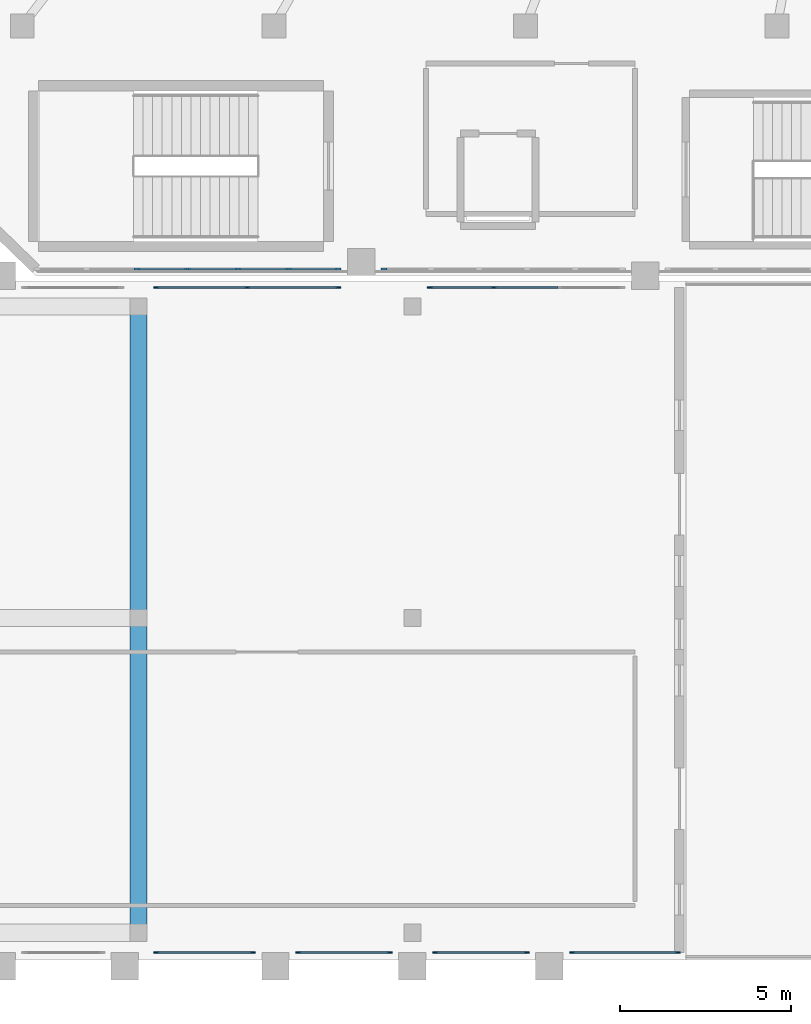
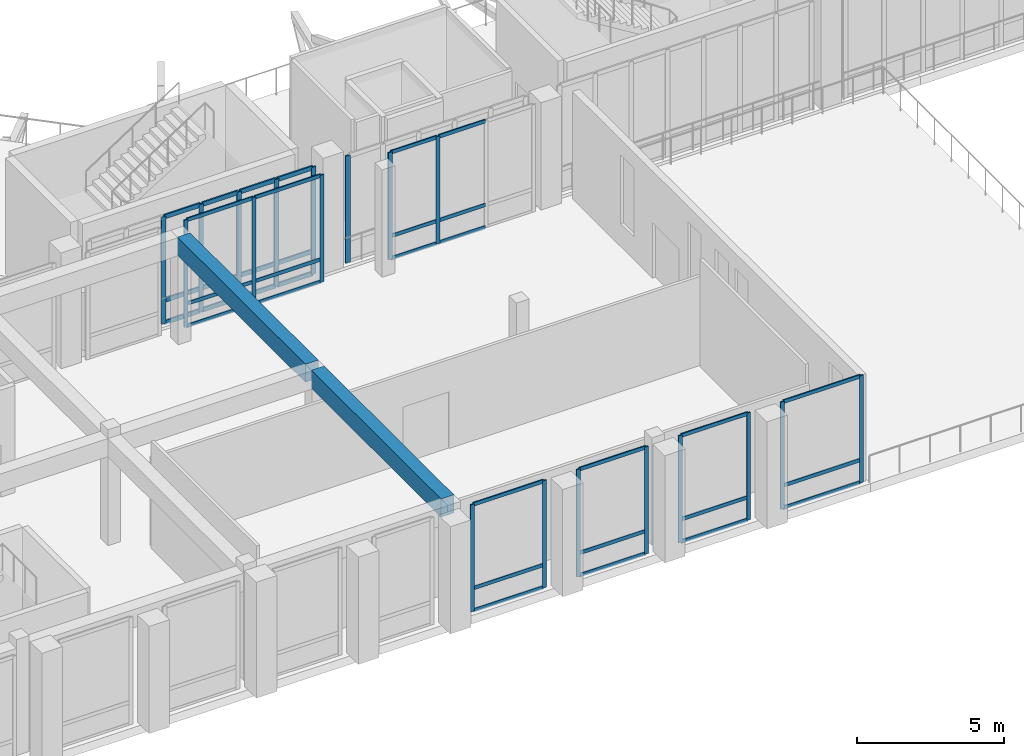
# One storey, part 7 of 79: 55 members, 2 beams, 8 elements without a shape of their own.
"""IFC4 building model written with IfcOpenShell, lengths in metres."""

import ifcopenshell
import ifcopenshell.guid

model = None  # the IFC model being written
_history = None  # IfcOwnerHistory: only IFC2X3 demands one
_inside = {}  # id of a spatial element -> (the spatial element, [elements in it])
_under = {}  # id of a project, library or spatial element -> (it, [spatial elements below it])
_declared = {}  # id of a project -> (the project, [libraries it declares])
_typed = {}  # id of a type object -> (the type object, [elements of that type])
_made_of = {}  # id of a material, layer set ... -> (it, [elements and type objects made of it])


def new_model(schema):
    """Start an empty IFC model of exactly this schema.

    Asked for "IFC4X3", IfcOpenShell would pick the latest addendum, in which some entities
    have other attributes; the version numbers below select the first issue.
    IFC2X3 requires an IfcOwnerHistory on every rooted entity: one is made here for all.
    """
    global model, _history
    if schema == "IFC4X3":
        model = ifcopenshell.file(schema_version=(4, 3, 0, 0))
    else:
        model = ifcopenshell.file(schema=schema)
    _inside.clear()
    _under.clear()
    _declared.clear()
    _typed.clear()
    _made_of.clear()
    _history = None
    if model.schema == "IFC2X3":
        org = make("IfcOrganization", Name="unknown")
        user = make(
            "IfcPersonAndOrganization",
            ThePerson=make("IfcPerson", FamilyName="unknown"),
            TheOrganization=org,
        )
        app = make(
            "IfcApplication",
            ApplicationDeveloper=org,
            Version="unknown",
            ApplicationFullName="unknown",
            ApplicationIdentifier="unknown",
        )
        _history = make(
            "IfcOwnerHistory",
            OwningUser=user,
            OwningApplication=app,
            ChangeAction="ADDED",
            CreationDate=0,
        )
    return model


def make(cls, **values):
    """One entity of the class cls with the attributes given. An attribute that is None is left unset."""
    return model.create_entity(
        cls, **{name: value for name, value in values.items() if value is not None}
    )


def rooted(cls, **values):
    """An entity with a GlobalId (a new one), such as an element, a storey or a relation."""
    return make(cls, GlobalId=ifcopenshell.guid.new(), OwnerHistory=_history, **values)


def si_unit(unit_type, name, prefix=None):
    """IfcSIUnit, for example si_unit("LENGTHUNIT", "METRE", prefix="MILLI")."""
    return make("IfcSIUnit", UnitType=unit_type, Prefix=prefix, Name=name)


def derived_unit(unit_type, elements):
    """IfcDerivedUnit: a product of units, each with its exponent."""
    return make(
        "IfcDerivedUnit",
        Elements=[
            make("IfcDerivedUnitElement", Unit=unit, Exponent=power)
            for unit, power in elements
        ],
        UnitType=unit_type,
    )


def assignment(units):
    """IfcUnitAssignment: the units of a project."""
    return None if units is None else make("IfcUnitAssignment", Units=units)


def point(xyz):
    """IfcCartesianPoint."""
    return None if xyz is None else make("IfcCartesianPoint", Coordinates=xyz)


def direction(xyz):
    """IfcDirection."""
    return None if xyz is None else make("IfcDirection", DirectionRatios=xyz)


def frame(location, z_axis=None, x_axis=None):
    """IfcAxis2Placement3D, a coordinate frame: its origin and axes. An axis left out is left unset."""
    return make(
        "IfcAxis2Placement3D",
        Location=point(location),
        Axis=direction(z_axis),
        RefDirection=direction(x_axis),
    )


def frame_2d(location, x_axis=None):
    """IfcAxis2Placement2D, a coordinate frame in the plane: its origin and x axis."""
    return make(
        "IfcAxis2Placement2D", Location=point(location), RefDirection=direction(x_axis)
    )


def origin():
    """The frame at (0, 0, 0) with its axes left unset."""
    return frame((0.0, 0.0, 0.0))


def origin_2d():
    """The frame at (0, 0) in the plane with its x axis left unset."""
    return frame_2d((0.0, 0.0))


def place(relative_to, where):
    """IfcLocalPlacement: puts the frame where relative to a parent placement (None: the world)."""
    return make(
        "IfcLocalPlacement", PlacementRelTo=relative_to, RelativePlacement=where
    )


def context(
    kind, dimensions, precision=None, world=None, true_north=None, identifier=None
):
    """IfcGeometricRepresentationContext, for example the 3D "Model" context."""
    return make(
        "IfcGeometricRepresentationContext",
        ContextIdentifier=identifier,
        ContextType=kind,
        CoordinateSpaceDimension=dimensions,
        Precision=precision,
        WorldCoordinateSystem=world,
        TrueNorth=true_north,
    )


def subcontext(parent, identifier, kind, view, scale=None):
    """IfcGeometricRepresentationSubContext, for example "Body" below "Model"."""
    return make(
        "IfcGeometricRepresentationSubContext",
        ContextIdentifier=identifier,
        ContextType=kind,
        ParentContext=parent,
        TargetScale=scale,
        TargetView=view,
    )


def project(units=None, contexts=None):
    """IfcProject with its units and contexts."""
    return rooted(
        "IfcProject",
        Name="project",
        RepresentationContexts=contexts,
        UnitsInContext=assignment(units),
    )


def spatial(cls, under=None, at=None, **own):
    """A site, building, storey or space (cls), placed at a placement, below another one or the project."""
    s = rooted(cls, ObjectPlacement=at, **own)
    if under is not None:
        _under.setdefault(under.id(), (under, []))[1].append(s)
    return s


def profile(cls, at=None, kind="AREA", **sizes):
    """A parametric profile (cls). Its sizes go by their IFC names, for example OverallWidth=200.0."""
    return make(cls, ProfileType=kind, Position=at, **sizes)


def rectangle(**sizes):
    """IfcRectangleProfileDef."""
    return profile("IfcRectangleProfileDef", **sizes)


def extrude(swept, where, along, depth):
    """IfcExtrudedAreaSolid: the profile swept, set in the frame where, extruded along a direction by depth."""
    return make(
        "IfcExtrudedAreaSolid",
        SweptArea=swept,
        Position=where,
        ExtrudedDirection=direction(along),
        Depth=depth,
    )


def shape(context_of_items, identifier, shape_type, items):
    """IfcShapeRepresentation: the items that make up one representation, for example the "Body"."""
    return make(
        "IfcShapeRepresentation",
        ContextOfItems=context_of_items,
        RepresentationIdentifier=identifier,
        RepresentationType=shape_type,
        Items=items,
    )


def material(Name=None, Category=None):
    """IfcMaterial."""
    return make("IfcMaterial", Name=Name, Category=Category)


def layer(
    of_material, thickness, ventilated=None, Name=None, Category=None, Priority=None
):
    """IfcMaterialLayer: one layer of a wall or slab, of a material (None: an air gap)."""
    return make(
        "IfcMaterialLayer",
        Material=of_material,
        LayerThickness=thickness,
        IsVentilated=ventilated,
        Name=Name,
        Category=Category,
        Priority=Priority,
    )


def layer_set(layers, Name=None):
    """IfcMaterialLayerSet."""
    return make("IfcMaterialLayerSet", MaterialLayers=layers, LayerSetName=Name)


def material_profile(
    of_material, cross_section, Name=None, Category=None, Priority=None
):
    """IfcMaterialProfile: a cross section and its material."""
    return make(
        "IfcMaterialProfile",
        Name=Name,
        Material=of_material,
        Profile=cross_section,
        Priority=Priority,
        Category=Category,
    )


def profile_set(profiles, Name=None, composite=None):
    """IfcMaterialProfileSet."""
    return make(
        "IfcMaterialProfileSet",
        Name=Name,
        MaterialProfiles=profiles,
        CompositeProfile=composite,
    )


def made_of(thing, what):
    """Note that an element or type object is made of a material, layer set ...; save() writes the relation."""
    if what is not None:
        _made_of.setdefault(what.id(), (what, []))[1].append(thing)
    return thing


def type_object(cls, material=None, **own):
    """A type object (cls), such as IfcWallType, which elements share."""
    return made_of(rooted(cls, **own), material)


def element(
    cls,
    number,
    at=None,
    inside=None,
    cuts=None,
    type_object=None,
    material=None,
    context=None,
    identifier="Body",
    shape_type=None,
    held_by="IfcProductDefinitionShape",
    body=None,
    shapes=None,
    **own,
):
    """One element of the class cls, such as IfcWall. Its Tag is "e" and its number.

    at: its placement. inside: the storey or other place that contains it. cuts: it is an
    opening in that element (IfcRelVoidsElement). A single representation is given by context,
    identifier, shape_type and body (its items); several are given by shapes. held_by: the class
    of the entity that holds the representations. save() writes the other relations.
    """
    e = rooted(cls, Tag="e%d" % number, ObjectPlacement=at, **own)
    if body is not None:
        shapes = [shape(context, identifier, shape_type, body)]
    if shapes is not None:
        e.Representation = make(held_by, Representations=shapes)
    if inside is not None:
        _inside.setdefault(inside.id(), (inside, []))[1].append(e)
    if cuts is not None:
        rooted(
            "IfcRelVoidsElement", RelatingBuildingElement=cuts, RelatedOpeningElement=e
        )
    if type_object is not None:
        _typed.setdefault(type_object.id(), (type_object, []))[1].append(e)
    return made_of(e, material)


def aggregate(whole, parts):
    """IfcRelAggregates: a whole, such as a stair, and the parts it consists of."""
    return rooted("IfcRelAggregates", RelatingObject=whole, RelatedObjects=parts)


def save(model, path):
    """Write the relations noted so far, then the file.

    IfcRelAggregates (storeys below a building ...), IfcRelContainedInSpatialStructure (elements
    in a storey), IfcRelDefinesByType, IfcRelAssociatesMaterial and IfcRelDeclares: one each for
    every whole, place, type object, material and project.
    """
    for whole, parts in _under.values():
        aggregate(whole, parts)
    for where, things in _inside.values():
        rooted(
            "IfcRelContainedInSpatialStructure",
            RelatedElements=things,
            RelatingStructure=where,
        )
    for kind, things in _typed.values():
        rooted("IfcRelDefinesByType", RelatedObjects=things, RelatingType=kind)
    for what, things in _made_of.values():
        rooted("IfcRelAssociatesMaterial", RelatedObjects=things, RelatingMaterial=what)
    for by, libraries in _declared.values():
        rooted("IfcRelDeclares", RelatingContext=by, RelatedDefinitions=libraries)
    model.write(path)


model = new_model("IFC4")

# Units and contexts
model_context = context("Model", 3, precision=1e-05, world=origin(), true_north=direction((0.0, 1.0)))
body_context = subcontext(model_context, "Body", "Model", "MODEL_VIEW")
ifc_project = project(units=[si_unit("LENGTHUNIT", "METRE"), si_unit("AREAUNIT", "SQUARE_METRE"), si_unit("VOLUMEUNIT", "CUBIC_METRE"), si_unit("PLANEANGLEUNIT", "RADIAN"), si_unit("MASSUNIT", "GRAM", prefix="KILO"), derived_unit("THERMALTRANSMITTANCEUNIT", [(si_unit("MASSUNIT", "GRAM", prefix="KILO"), 1), (si_unit("TIMEUNIT", "SECOND"), -3), (si_unit("THERMODYNAMICTEMPERATUREUNIT", "KELVIN"), -1)])], contexts=[model_context])

# Site, building, storey
site_placement = place(None, origin())
site = spatial("IfcSite", under=ifc_project, at=site_placement, CompositionType="ELEMENT")
building_placement = place(site_placement, origin())
building = spatial("IfcBuilding", under=site, at=building_placement, Name="Valcora Ridge Arena", CompositionType="ELEMENT")
storey_placement = place(building_placement, frame((0.0, 0.0, 16.199951171875)))
storey = spatial("IfcBuildingStorey", under=building, at=storey_placement, Name="L03", CompositionType="ELEMENT", Elevation=16.199951171875)

# Beams
ifc_material_1 = material(Name="Concrete C40/50", Category="concrete")
ifc_material_profile_1 = material_profile(ifc_material_1, rectangle(XDim=0.5, YDim=0.75, at=origin_2d()), Name="RC 500x750")
ifc_profile_set_1 = profile_set([ifc_material_profile_1], Name="Concrete C40/50")
beam_type = type_object("IfcBeamType", Name="TY-BEAM-B-RC500-Y", PredefinedType="BEAM", material=ifc_profile_set_1)
beam_1_placement = place(storey_placement, frame((32.0, 1.0, 4.06494140625), z_axis=(0.0, 1.0, 0.0), x_axis=(-1.0, 0.0, 0.0)))
element("IfcBeam", 1, at=beam_1_placement, inside=storey, type_object=beam_type, Name="B-RC500-Y BEM-B-RC500-Y-0105", PredefinedType="BEAM", context=body_context, shape_type="SweptSolid", body=[
    extrude(rectangle(XDim=0.5, YDim=0.75, at=origin_2d()), origin(), (0.0, 0.0, 1.0), 8.800048828125),
])
beam_2_placement = place(storey_placement, frame((32.0, 10.199951171875, 4.06494140625), z_axis=(0.0, 1.0, 0.0), x_axis=(-1.0, 0.0, 0.0)))
element("IfcBeam", 2, at=beam_2_placement, inside=storey, type_object=beam_type, Name="B-RC500-Y BEM-B-RC500-Y-0106", PredefinedType="BEAM", context=body_context, shape_type="SweptSolid", body=[
    extrude(rectangle(XDim=0.5, YDim=0.75, at=origin_2d()), origin(), (0.0, 0.0, 1.0), 8.699951171875),
])

# Curtain wall, members
ifc_material_2 = material(Name="Anodised dark bronze architectural aluminium 6063-T6", Category="aluminium")
ifc_layer_1 = layer(ifc_material_2, 0.14990234375, Name="Anodised dark bronze architectural aluminium 6063-T6")
ifc_layer_set_1 = layer_set([ifc_layer_1], Name="Anodised dark bronze architectural aluminium 6063-T6")
curtain_wall_type_1 = type_object("IfcCurtainWallType", Name="TY-CURTAINWALL-CW-V4-CLUB-029X44", PredefinedType="NOTDEFINED", material=ifc_layer_set_1)
curtain_wall_1_placement = place(storey_placement, origin())
curtain_wall_1 = element("IfcCurtainWall", 3, at=curtain_wall_1_placement, inside=storey, type_object=curtain_wall_type_1, Name="CW-V4-CLUB-029X44 CW-0275", PredefinedType="NOTDEFINED")
ifc_material_profile_2 = material_profile(ifc_material_2, rectangle(XDim=0.050048828125, YDim=0.14990234375, at=origin_2d()), Name="ALU MULLION 50x150")
ifc_profile_set_2 = profile_set([ifc_material_profile_2], Name="Anodised dark bronze architectural aluminium 6063-T6")
member_type_1 = type_object("IfcMemberType", Name="TY-MEM-CWM-50x150", PredefinedType="MULLION", material=ifc_profile_set_2)
member_1_placement = place(storey_placement, frame((32.514892578125, 0.219970703125, 0.0), z_axis=(0.0, 0.0, 1.0), x_axis=(0.0, 1.0, 0.0)))
member_1 = element("IfcMember", 4, at=member_1_placement, type_object=member_type_1, Name="CW-0275/CWM-50x150/M00", PredefinedType="MULLION", context=body_context, shape_type="SweptSolid", body=[
    extrude(rectangle(XDim=0.050048828125, YDim=0.14990234375, at=origin_2d()), origin(), (0.0, 0.0, 1.0), 4.43994140625),
])
member_2_placement = place(storey_placement, frame((35.3349609375, 0.219970703125, 0.0), z_axis=(0.0, 0.0, 1.0), x_axis=(0.0, 1.0, 0.0)))
member_2 = element("IfcMember", 5, at=member_2_placement, type_object=member_type_1, Name="CW-0275/CWM-50x150/M01", PredefinedType="MULLION", context=body_context, shape_type="SweptSolid", body=[
    extrude(rectangle(XDim=0.050048828125, YDim=0.14990234375, at=origin_2d()), origin(), (0.0, 0.0, 1.0), 4.43994140625),
])

ifc_layer_2 = layer(ifc_material_2, 0.14990234375, Name="Anodised dark bronze architectural aluminium 6063-T6")
ifc_layer_set_2 = layer_set([ifc_layer_2], Name="Anodised dark bronze architectural aluminium 6063-T6")
curtain_wall_type_2 = type_object("IfcCurtainWallType", Name="TY-CURTAINWALL-CW-V4-CLUB-027X44", PredefinedType="NOTDEFINED", material=ifc_layer_set_2)
curtain_wall_2_placement = place(storey_placement, origin())
curtain_wall_2 = element("IfcCurtainWall", 6, at=curtain_wall_2_placement, inside=storey, type_object=curtain_wall_type_2, Name="CW-V4-CLUB-027X44 CW-0276", PredefinedType="NOTDEFINED")
member_3_placement = place(storey_placement, frame((36.6650390625, 0.219970703125, 0.0), z_axis=(0.0, 0.0, 1.0), x_axis=(0.0, 1.0, 0.0)))
member_3 = element("IfcMember", 7, at=member_3_placement, type_object=member_type_1, Name="CW-0276/CWM-50x150/M00", PredefinedType="MULLION", context=body_context, shape_type="SweptSolid", body=[
    extrude(rectangle(XDim=0.050048828125, YDim=0.14990234375, at=origin_2d()), origin(), (0.0, 0.0, 1.0), 4.43994140625),
])
member_4_placement = place(storey_placement, frame((39.3349609375, 0.219970703125, 0.0), z_axis=(0.0, 0.0, 1.0), x_axis=(0.0, 1.0, 0.0)))
member_4 = element("IfcMember", 8, at=member_4_placement, type_object=member_type_1, Name="CW-0276/CWM-50x150/M01", PredefinedType="MULLION", context=body_context, shape_type="SweptSolid", body=[
    extrude(rectangle(XDim=0.050048828125, YDim=0.14990234375, at=origin_2d()), origin(), (0.0, 0.0, 1.0), 4.43994140625),
])

curtain_wall_3_placement = place(storey_placement, origin())
curtain_wall_3 = element("IfcCurtainWall", 9, at=curtain_wall_3_placement, inside=storey, type_object=curtain_wall_type_2, Name="CW-V4-CLUB-027X44 CW-0277", PredefinedType="NOTDEFINED")
member_5_placement = place(storey_placement, frame((40.6650390625, 0.219970703125, 0.0), z_axis=(0.0, 0.0, 1.0), x_axis=(0.0, 1.0, 0.0)))
member_5 = element("IfcMember", 10, at=member_5_placement, type_object=member_type_1, Name="CW-0277/CWM-50x150/M00", PredefinedType="MULLION", context=body_context, shape_type="SweptSolid", body=[
    extrude(rectangle(XDim=0.050048828125, YDim=0.14990234375, at=origin_2d()), origin(), (0.0, 0.0, 1.0), 4.43994140625),
])
member_6_placement = place(storey_placement, frame((43.3349609375, 0.219970703125, 0.0), z_axis=(0.0, 0.0, 1.0), x_axis=(0.0, 1.0, 0.0)))
member_6 = element("IfcMember", 11, at=member_6_placement, type_object=member_type_1, Name="CW-0277/CWM-50x150/M01", PredefinedType="MULLION", context=body_context, shape_type="SweptSolid", body=[
    extrude(rectangle(XDim=0.050048828125, YDim=0.14990234375, at=origin_2d()), origin(), (0.0, 0.0, 1.0), 4.43994140625),
])

ifc_layer_3 = layer(ifc_material_2, 0.14990234375, Name="Anodised dark bronze architectural aluminium 6063-T6")
ifc_layer_set_3 = layer_set([ifc_layer_3], Name="Anodised dark bronze architectural aluminium 6063-T6")
curtain_wall_type_3 = type_object("IfcCurtainWallType", Name="TY-CURTAINWALL-CW-V4-CLUB-031X44", PredefinedType="NOTDEFINED", material=ifc_layer_set_3)
curtain_wall_4_placement = place(storey_placement, origin())
curtain_wall_4 = element("IfcCurtainWall", 12, at=curtain_wall_4_placement, inside=storey, type_object=curtain_wall_type_3, Name="CW-V4-CLUB-031X44 CW-0278", PredefinedType="NOTDEFINED")
member_7_placement = place(storey_placement, frame((44.6650390625, 0.219970703125, 0.0), z_axis=(0.0, 0.0, 1.0), x_axis=(0.0, 1.0, 0.0)))
member_7 = element("IfcMember", 13, at=member_7_placement, type_object=member_type_1, Name="CW-0278/CWM-50x150/M00", PredefinedType="MULLION", context=body_context, shape_type="SweptSolid", body=[
    extrude(rectangle(XDim=0.050048828125, YDim=0.14990234375, at=origin_2d()), origin(), (0.0, 0.0, 1.0), 4.43994140625),
])
member_8_placement = place(storey_placement, frame((47.7548828125, 0.219970703125, 0.0), z_axis=(0.0, 0.0, 1.0), x_axis=(0.0, 1.0, 0.0)))
member_8 = element("IfcMember", 14, at=member_8_placement, type_object=member_type_1, Name="CW-0278/CWM-50x150/M01", PredefinedType="MULLION", context=body_context, shape_type="SweptSolid", body=[
    extrude(rectangle(XDim=0.050048828125, YDim=0.14990234375, at=origin_2d()), origin(), (0.0, 0.0, 1.0), 4.43994140625),
])

ifc_layer_4 = layer(ifc_material_2, 0.14990234375, Name="Anodised dark bronze architectural aluminium 6063-T6")
ifc_layer_set_4 = layer_set([ifc_layer_4], Name="Anodised dark bronze architectural aluminium 6063-T6")
curtain_wall_type_4 = type_object("IfcCurtainWallType", Name="TY-CURTAINWALL-CW-V4-CLUB-054X44", PredefinedType="NOTDEFINED", material=ifc_layer_set_4)
curtain_wall_5_placement = place(storey_placement, origin())
curtain_wall_5 = element("IfcCurtainWall", 15, at=curtain_wall_5_placement, inside=storey, type_object=curtain_wall_type_4, Name="CW-V4-CLUB-054X44 CW-0283", PredefinedType="NOTDEFINED")
member_9_placement = place(storey_placement, frame((32.514892578125, 19.64990234375, 0.0), z_axis=(0.0, 0.0, 1.0), x_axis=(0.0, 1.0, 0.0)))
member_9 = element("IfcMember", 16, at=member_9_placement, type_object=member_type_1, Name="CW-0283/CWM-50x150/M00", PredefinedType="MULLION", context=body_context, shape_type="SweptSolid", body=[
    extrude(rectangle(XDim=0.050048828125, YDim=0.14990234375, at=origin_2d()), origin(), (0.0, 0.0, 1.0), 4.43994140625),
])
member_10_placement = place(storey_placement, frame((35.175048828125, 19.64990234375, 0.0), z_axis=(0.0, 0.0, 1.0), x_axis=(0.0, 1.0, 0.0)))
member_10 = element("IfcMember", 17, at=member_10_placement, type_object=member_type_1, Name="CW-0283/CWM-50x150/M01", PredefinedType="MULLION", context=body_context, shape_type="SweptSolid", body=[
    extrude(rectangle(XDim=0.050048828125, YDim=0.14990234375, at=origin_2d()), origin(), (0.0, 0.0, 1.0), 4.43994140625),
])
member_11_placement = place(storey_placement, frame((37.8349609375, 19.64990234375, 0.0), z_axis=(0.0, 0.0, 1.0), x_axis=(0.0, 1.0, 0.0)))
member_11 = element("IfcMember", 18, at=member_11_placement, type_object=member_type_1, Name="CW-0283/CWM-50x150/M02", PredefinedType="MULLION", context=body_context, shape_type="SweptSolid", body=[
    extrude(rectangle(XDim=0.050048828125, YDim=0.14990234375, at=origin_2d()), origin(), (0.0, 0.0, 1.0), 4.43994140625),
])

ifc_layer_5 = layer(ifc_material_2, 0.14990234375, Name="Anodised dark bronze architectural aluminium 6063-T6")
ifc_layer_set_5 = layer_set([ifc_layer_5], Name="Anodised dark bronze architectural aluminium 6063-T6")
curtain_wall_type_5 = type_object("IfcCurtainWallType", Name="TY-CURTAINWALL-CW-V4-CLUB-057X44", PredefinedType="NOTDEFINED", material=ifc_layer_set_5)
curtain_wall_6_placement = place(storey_placement, origin())
curtain_wall_6 = element("IfcCurtainWall", 19, at=curtain_wall_6_placement, inside=storey, type_object=curtain_wall_type_5, Name="CW-V4-CLUB-057X44 CW-0284", PredefinedType="NOTDEFINED")
member_12_placement = place(storey_placement, frame((40.514892578125, 19.64990234375, 0.0), z_axis=(0.0, 0.0, 1.0), x_axis=(0.0, 1.0, 0.0)))
member_12 = element("IfcMember", 20, at=member_12_placement, type_object=member_type_1, Name="CW-0284/CWM-50x150/M00", PredefinedType="MULLION", context=body_context, shape_type="SweptSolid", body=[
    extrude(rectangle(XDim=0.050048828125, YDim=0.14990234375, at=origin_2d()), origin(), (0.0, 0.0, 1.0), 4.43994140625),
])
member_13_placement = place(storey_placement, frame((42.3798828125, 19.64990234375, 0.0), z_axis=(0.0, 0.0, 1.0), x_axis=(0.0, 1.0, 0.0)))
member_13 = element("IfcMember", 21, at=member_13_placement, type_object=member_type_1, Name="CW-0284/CWM-50x150/M01", PredefinedType="MULLION", context=body_context, shape_type="SweptSolid", body=[
    extrude(rectangle(XDim=0.050048828125, YDim=0.14990234375, at=origin_2d()), origin(), (0.0, 0.0, 1.0), 4.43994140625),
])

ifc_layer_6 = layer(ifc_material_2, 0.179931640625, Name="Anodised dark bronze architectural aluminium 6063-T6")
ifc_layer_set_6 = layer_set([ifc_layer_6], Name="Anodised dark bronze architectural aluminium 6063-T6")
curtain_wall_type_6 = type_object("IfcCurtainWallType", Name="TY-CURTAINWALL-CW-V1-GOTH-089X44", PredefinedType="NOTDEFINED", material=ifc_layer_set_6)
curtain_wall_7_placement = place(storey_placement, origin())
curtain_wall_7 = element("IfcCurtainWall", 22, at=curtain_wall_7_placement, inside=storey, type_object=curtain_wall_type_6, Name="CW-V1-GOTH-089X44 CW-0136", PredefinedType="NOTDEFINED")
ifc_material_profile_3 = material_profile(ifc_material_2, rectangle(XDim=0.06005859375, YDim=0.179931640625, at=origin_2d()), Name="ALU MULLION 60x180")
ifc_profile_set_3 = profile_set([ifc_material_profile_3], Name="Anodised dark bronze architectural aluminium 6063-T6")
member_type_2 = type_object("IfcMemberType", Name="TY-MEM-CWM-60x180", PredefinedType="MULLION", material=ifc_profile_set_3)
member_14_placement = place(storey_placement, frame((31.953369140625, 20.199951171875, 0.0), z_axis=(0.0, 0.0, 1.0), x_axis=(0.0, 1.0, 0.0)))
member_14 = element("IfcMember", 23, at=member_14_placement, type_object=member_type_2, Name="CW-0136/CWM-60x180/M02", PredefinedType="MULLION", context=body_context, shape_type="SweptSolid", body=[
    extrude(rectangle(XDim=0.06005859375, YDim=0.179931640625, at=origin_2d()), origin(), (0.0, 0.0, 1.0), 4.43994140625),
])
member_15_placement = place(storey_placement, frame((33.429931640625, 20.199951171875, 0.0), z_axis=(0.0, 0.0, 1.0), x_axis=(0.0, 1.0, 0.0)))
member_15 = element("IfcMember", 24, at=member_15_placement, type_object=member_type_2, Name="CW-0136/CWM-60x180/M03", PredefinedType="MULLION", context=body_context, shape_type="SweptSolid", body=[
    extrude(rectangle(XDim=0.06005859375, YDim=0.179931640625, at=origin_2d()), origin(), (0.0, 0.0, 1.0), 4.43994140625),
])
member_16_placement = place(storey_placement, frame((34.90673828125, 20.199951171875, 0.0), z_axis=(0.0, 0.0, 1.0), x_axis=(0.0, 1.0, 0.0)))
member_16 = element("IfcMember", 25, at=member_16_placement, type_object=member_type_2, Name="CW-0136/CWM-60x180/M04", PredefinedType="MULLION", context=body_context, shape_type="SweptSolid", body=[
    extrude(rectangle(XDim=0.06005859375, YDim=0.179931640625, at=origin_2d()), origin(), (0.0, 0.0, 1.0), 4.43994140625),
])
member_17_placement = place(storey_placement, frame((36.38330078125, 20.199951171875, 0.0), z_axis=(0.0, 0.0, 1.0), x_axis=(0.0, 1.0, 0.0)))
member_17 = element("IfcMember", 26, at=member_17_placement, type_object=member_type_2, Name="CW-0136/CWM-60x180/M05", PredefinedType="MULLION", context=body_context, shape_type="SweptSolid", body=[
    extrude(rectangle(XDim=0.06005859375, YDim=0.179931640625, at=origin_2d()), origin(), (0.0, 0.0, 1.0), 4.43994140625),
])
member_18_placement = place(storey_placement, frame((37.830078125, 20.199951171875, 0.0), z_axis=(0.0, 0.0, 1.0), x_axis=(0.0, 1.0, 0.0)))
member_18 = element("IfcMember", 27, at=member_18_placement, type_object=member_type_2, Name="CW-0136/CWM-60x180/M06", PredefinedType="MULLION", context=body_context, shape_type="SweptSolid", body=[
    extrude(rectangle(XDim=0.06005859375, YDim=0.179931640625, at=origin_2d()), origin(), (0.0, 0.0, 1.0), 4.43994140625),
])

# Curtain wall, member
ifc_layer_7 = layer(ifc_material_2, 0.179931640625, Name="Anodised dark bronze architectural aluminium 6063-T6")
ifc_layer_set_7 = layer_set([ifc_layer_7], Name="Anodised dark bronze architectural aluminium 6063-T6")
curtain_wall_type_7 = type_object("IfcCurtainWallType", Name="TY-CURTAINWALL-CW-V1-GOTH-070X44", PredefinedType="NOTDEFINED", material=ifc_layer_set_7)
curtain_wall_8_placement = place(storey_placement, origin())
curtain_wall_8 = element("IfcCurtainWall", 28, at=curtain_wall_8_placement, inside=storey, type_object=curtain_wall_type_7, Name="CW-V1-GOTH-070X44 CW-0137", PredefinedType="NOTDEFINED")
member_19_placement = place(storey_placement, frame((39.169921875, 20.199951171875, 0.0), z_axis=(0.0, 0.0, 1.0), x_axis=(0.0, 1.0, 0.0)))
member_19 = element("IfcMember", 29, at=member_19_placement, type_object=member_type_2, Name="CW-0137/CWM-60x180/M00", PredefinedType="MULLION", context=body_context, shape_type="SweptSolid", body=[
    extrude(rectangle(XDim=0.06005859375, YDim=0.179931640625, at=origin_2d()), origin(), (0.0, 0.0, 1.0), 4.43994140625),
])
aggregate(curtain_wall_8, [member_19])

# Member
ifc_material_profile_4 = material_profile(ifc_material_2, rectangle(XDim=0.050048828125, YDim=0.14990234375, at=origin_2d()), Name="ALU TRANSOM 50x150")
ifc_profile_set_4 = profile_set([ifc_material_profile_4], Name="Anodised dark bronze architectural aluminium 6063-T6")
member_type_3 = type_object("IfcMemberType", Name="TY-MEM-CWT-50x150", PredefinedType="USERDEFINED", material=ifc_profile_set_4)
member_20_placement = place(storey_placement, frame((32.5400390625, 0.219970703125, 0.025146484375), z_axis=(1.0, 0.0, 0.0), x_axis=(0.0, 1.0, 0.0)))
member_20 = element("IfcMember", 30, at=member_20_placement, type_object=member_type_3, Name="CW-0275/CWT-50x150/T00-00", ObjectType="TRANSOM", PredefinedType="USERDEFINED", context=body_context, shape_type="SweptSolid", body=[
    extrude(rectangle(XDim=0.050048828125, YDim=0.14990234375, at=origin_2d()), origin(), (0.0, 0.0, 1.0), 2.77001953125),
])

member_21_placement = place(storey_placement, frame((32.5400390625, 0.219970703125, 0.949951171875), z_axis=(1.0, 0.0, 0.0), x_axis=(0.0, 1.0, 0.0)))
member_21 = element("IfcMember", 31, at=member_21_placement, type_object=member_type_3, Name="CW-0275/CWT-50x150/T00-01", ObjectType="TRANSOM", PredefinedType="USERDEFINED", context=body_context, shape_type="SweptSolid", body=[
    extrude(rectangle(XDim=0.050048828125, YDim=0.14990234375, at=origin_2d()), origin(), (0.0, 0.0, 1.0), 2.77001953125),
])

member_22_placement = place(storey_placement, frame((32.5400390625, 0.219970703125, 4.4150390625), z_axis=(1.0, 0.0, 0.0), x_axis=(0.0, 1.0, 0.0)))
member_22 = element("IfcMember", 32, at=member_22_placement, type_object=member_type_3, Name="CW-0275/CWT-50x150/T00-02", ObjectType="TRANSOM", PredefinedType="USERDEFINED", context=body_context, shape_type="SweptSolid", body=[
    extrude(rectangle(XDim=0.050048828125, YDim=0.14990234375, at=origin_2d()), origin(), (0.0, 0.0, 1.0), 2.77001953125),
])

aggregate(curtain_wall_1, [member_1, member_2, member_20, member_21, member_22])

member_23_placement = place(storey_placement, frame((36.68994140625, 0.219970703125, 0.025146484375), z_axis=(1.0, 0.0, 0.0), x_axis=(0.0, 1.0, 0.0)))
member_23 = element("IfcMember", 33, at=member_23_placement, type_object=member_type_3, Name="CW-0276/CWT-50x150/T00-00", ObjectType="TRANSOM", PredefinedType="USERDEFINED", context=body_context, shape_type="SweptSolid", body=[
    extrude(rectangle(XDim=0.050048828125, YDim=0.14990234375, at=origin_2d()), origin(), (0.0, 0.0, 1.0), 2.6201171875),
])

member_24_placement = place(storey_placement, frame((36.68994140625, 0.219970703125, 0.949951171875), z_axis=(1.0, 0.0, 0.0), x_axis=(0.0, 1.0, 0.0)))
member_24 = element("IfcMember", 34, at=member_24_placement, type_object=member_type_3, Name="CW-0276/CWT-50x150/T00-01", ObjectType="TRANSOM", PredefinedType="USERDEFINED", context=body_context, shape_type="SweptSolid", body=[
    extrude(rectangle(XDim=0.050048828125, YDim=0.14990234375, at=origin_2d()), origin(), (0.0, 0.0, 1.0), 2.6201171875),
])

member_25_placement = place(storey_placement, frame((36.68994140625, 0.219970703125, 4.4150390625), z_axis=(1.0, 0.0, 0.0), x_axis=(0.0, 1.0, 0.0)))
member_25 = element("IfcMember", 35, at=member_25_placement, type_object=member_type_3, Name="CW-0276/CWT-50x150/T00-02", ObjectType="TRANSOM", PredefinedType="USERDEFINED", context=body_context, shape_type="SweptSolid", body=[
    extrude(rectangle(XDim=0.050048828125, YDim=0.14990234375, at=origin_2d()), origin(), (0.0, 0.0, 1.0), 2.6201171875),
])

aggregate(curtain_wall_2, [member_3, member_4, member_23, member_24, member_25])

member_26_placement = place(storey_placement, frame((40.68994140625, 0.219970703125, 0.025146484375), z_axis=(1.0, 0.0, 0.0), x_axis=(0.0, 1.0, 0.0)))
member_26 = element("IfcMember", 36, at=member_26_placement, type_object=member_type_3, Name="CW-0277/CWT-50x150/T00-00", ObjectType="TRANSOM", PredefinedType="USERDEFINED", context=body_context, shape_type="SweptSolid", body=[
    extrude(rectangle(XDim=0.050048828125, YDim=0.14990234375, at=origin_2d()), origin(), (0.0, 0.0, 1.0), 2.6201171875),
])

member_27_placement = place(storey_placement, frame((40.68994140625, 0.219970703125, 0.949951171875), z_axis=(1.0, 0.0, 0.0), x_axis=(0.0, 1.0, 0.0)))
member_27 = element("IfcMember", 37, at=member_27_placement, type_object=member_type_3, Name="CW-0277/CWT-50x150/T00-01", ObjectType="TRANSOM", PredefinedType="USERDEFINED", context=body_context, shape_type="SweptSolid", body=[
    extrude(rectangle(XDim=0.050048828125, YDim=0.14990234375, at=origin_2d()), origin(), (0.0, 0.0, 1.0), 2.6201171875),
])

member_28_placement = place(storey_placement, frame((40.68994140625, 0.219970703125, 4.4150390625), z_axis=(1.0, 0.0, 0.0), x_axis=(0.0, 1.0, 0.0)))
member_28 = element("IfcMember", 38, at=member_28_placement, type_object=member_type_3, Name="CW-0277/CWT-50x150/T00-02", ObjectType="TRANSOM", PredefinedType="USERDEFINED", context=body_context, shape_type="SweptSolid", body=[
    extrude(rectangle(XDim=0.050048828125, YDim=0.14990234375, at=origin_2d()), origin(), (0.0, 0.0, 1.0), 2.6201171875),
])

aggregate(curtain_wall_3, [member_5, member_6, member_26, member_27, member_28])

member_29_placement = place(storey_placement, frame((44.68994140625, 0.219970703125, 0.025146484375), z_axis=(1.0, 0.0, 0.0), x_axis=(0.0, 1.0, 0.0)))
member_29 = element("IfcMember", 39, at=member_29_placement, type_object=member_type_3, Name="CW-0278/CWT-50x150/T00-00", ObjectType="TRANSOM", PredefinedType="USERDEFINED", context=body_context, shape_type="SweptSolid", body=[
    extrude(rectangle(XDim=0.050048828125, YDim=0.14990234375, at=origin_2d()), origin(), (0.0, 0.0, 1.0), 3.0400390625),
])

member_30_placement = place(storey_placement, frame((44.68994140625, 0.219970703125, 0.949951171875), z_axis=(1.0, 0.0, 0.0), x_axis=(0.0, 1.0, 0.0)))
member_30 = element("IfcMember", 40, at=member_30_placement, type_object=member_type_3, Name="CW-0278/CWT-50x150/T00-01", ObjectType="TRANSOM", PredefinedType="USERDEFINED", context=body_context, shape_type="SweptSolid", body=[
    extrude(rectangle(XDim=0.050048828125, YDim=0.14990234375, at=origin_2d()), origin(), (0.0, 0.0, 1.0), 3.0400390625),
])

member_31_placement = place(storey_placement, frame((44.68994140625, 0.219970703125, 4.4150390625), z_axis=(1.0, 0.0, 0.0), x_axis=(0.0, 1.0, 0.0)))
member_31 = element("IfcMember", 41, at=member_31_placement, type_object=member_type_3, Name="CW-0278/CWT-50x150/T00-02", ObjectType="TRANSOM", PredefinedType="USERDEFINED", context=body_context, shape_type="SweptSolid", body=[
    extrude(rectangle(XDim=0.050048828125, YDim=0.14990234375, at=origin_2d()), origin(), (0.0, 0.0, 1.0), 3.0400390625),
])

aggregate(curtain_wall_4, [member_7, member_8, member_29, member_30, member_31])

member_32_placement = place(storey_placement, frame((32.5400390625, 19.64990234375, 0.025146484375), z_axis=(1.0, 0.0, 0.0), x_axis=(0.0, 1.0, 0.0)))
member_32 = element("IfcMember", 42, at=member_32_placement, type_object=member_type_3, Name="CW-0283/CWT-50x150/T00-00", ObjectType="TRANSOM", PredefinedType="USERDEFINED", context=body_context, shape_type="SweptSolid", body=[
    extrude(rectangle(XDim=0.050048828125, YDim=0.14990234375, at=origin_2d()), origin(), (0.0, 0.0, 1.0), 2.60986328125),
])

member_33_placement = place(storey_placement, frame((32.5400390625, 19.64990234375, 0.949951171875), z_axis=(1.0, 0.0, 0.0), x_axis=(0.0, 1.0, 0.0)))
member_33 = element("IfcMember", 43, at=member_33_placement, type_object=member_type_3, Name="CW-0283/CWT-50x150/T00-01", ObjectType="TRANSOM", PredefinedType="USERDEFINED", context=body_context, shape_type="SweptSolid", body=[
    extrude(rectangle(XDim=0.050048828125, YDim=0.14990234375, at=origin_2d()), origin(), (0.0, 0.0, 1.0), 2.60986328125),
])

member_34_placement = place(storey_placement, frame((32.5400390625, 19.64990234375, 4.4150390625), z_axis=(1.0, 0.0, 0.0), x_axis=(0.0, 1.0, 0.0)))
member_34 = element("IfcMember", 44, at=member_34_placement, type_object=member_type_3, Name="CW-0283/CWT-50x150/T00-02", ObjectType="TRANSOM", PredefinedType="USERDEFINED", context=body_context, shape_type="SweptSolid", body=[
    extrude(rectangle(XDim=0.050048828125, YDim=0.14990234375, at=origin_2d()), origin(), (0.0, 0.0, 1.0), 2.60986328125),
])

member_35_placement = place(storey_placement, frame((35.199951171875, 19.64990234375, 0.025146484375), z_axis=(1.0, 0.0, 0.0), x_axis=(0.0, 1.0, 0.0)))
member_35 = element("IfcMember", 45, at=member_35_placement, type_object=member_type_3, Name="CW-0283/CWT-50x150/T01-00", ObjectType="TRANSOM", PredefinedType="USERDEFINED", context=body_context, shape_type="SweptSolid", body=[
    extrude(rectangle(XDim=0.050048828125, YDim=0.14990234375, at=origin_2d()), origin(), (0.0, 0.0, 1.0), 2.610107421875),
])

member_36_placement = place(storey_placement, frame((35.199951171875, 19.64990234375, 0.949951171875), z_axis=(1.0, 0.0, 0.0), x_axis=(0.0, 1.0, 0.0)))
member_36 = element("IfcMember", 46, at=member_36_placement, type_object=member_type_3, Name="CW-0283/CWT-50x150/T01-01", ObjectType="TRANSOM", PredefinedType="USERDEFINED", context=body_context, shape_type="SweptSolid", body=[
    extrude(rectangle(XDim=0.050048828125, YDim=0.14990234375, at=origin_2d()), origin(), (0.0, 0.0, 1.0), 2.610107421875),
])

member_37_placement = place(storey_placement, frame((35.199951171875, 19.64990234375, 4.4150390625), z_axis=(1.0, 0.0, 0.0), x_axis=(0.0, 1.0, 0.0)))
member_37 = element("IfcMember", 47, at=member_37_placement, type_object=member_type_3, Name="CW-0283/CWT-50x150/T01-02", ObjectType="TRANSOM", PredefinedType="USERDEFINED", context=body_context, shape_type="SweptSolid", body=[
    extrude(rectangle(XDim=0.050048828125, YDim=0.14990234375, at=origin_2d()), origin(), (0.0, 0.0, 1.0), 2.610107421875),
])

aggregate(curtain_wall_5, [member_9, member_10, member_11, member_32, member_33, member_34, member_35, member_36, member_37])

member_38_placement = place(storey_placement, frame((40.5400390625, 19.64990234375, 0.025146484375), z_axis=(1.0, 0.0, 0.0), x_axis=(0.0, 1.0, 0.0)))
member_38 = element("IfcMember", 48, at=member_38_placement, type_object=member_type_3, Name="CW-0284/CWT-50x150/T00-00", ObjectType="TRANSOM", PredefinedType="USERDEFINED", context=body_context, shape_type="SweptSolid", body=[
    extrude(rectangle(XDim=0.050048828125, YDim=0.14990234375, at=origin_2d()), origin(), (0.0, 0.0, 1.0), 1.81494140625),
])

member_39_placement = place(storey_placement, frame((40.5400390625, 19.64990234375, 0.949951171875), z_axis=(1.0, 0.0, 0.0), x_axis=(0.0, 1.0, 0.0)))
member_39 = element("IfcMember", 49, at=member_39_placement, type_object=member_type_3, Name="CW-0284/CWT-50x150/T00-01", ObjectType="TRANSOM", PredefinedType="USERDEFINED", context=body_context, shape_type="SweptSolid", body=[
    extrude(rectangle(XDim=0.050048828125, YDim=0.14990234375, at=origin_2d()), origin(), (0.0, 0.0, 1.0), 1.81494140625),
])

member_40_placement = place(storey_placement, frame((40.5400390625, 19.64990234375, 4.4150390625), z_axis=(1.0, 0.0, 0.0), x_axis=(0.0, 1.0, 0.0)))
member_40 = element("IfcMember", 50, at=member_40_placement, type_object=member_type_3, Name="CW-0284/CWT-50x150/T00-02", ObjectType="TRANSOM", PredefinedType="USERDEFINED", context=body_context, shape_type="SweptSolid", body=[
    extrude(rectangle(XDim=0.050048828125, YDim=0.14990234375, at=origin_2d()), origin(), (0.0, 0.0, 1.0), 1.81494140625),
])

member_41_placement = place(storey_placement, frame((42.405029296875, 19.64990234375, 0.025146484375), z_axis=(1.0, 0.0, 0.0), x_axis=(0.0, 1.0, 0.0)))
member_41 = element("IfcMember", 51, at=member_41_placement, type_object=member_type_3, Name="CW-0284/CWT-50x150/T01-00", ObjectType="TRANSOM", PredefinedType="USERDEFINED", context=body_context, shape_type="SweptSolid", body=[
    extrude(rectangle(XDim=0.050048828125, YDim=0.14990234375, at=origin_2d()), origin(), (0.0, 0.0, 1.0), 1.840087890625),
])

member_42_placement = place(storey_placement, frame((42.405029296875, 19.64990234375, 0.949951171875), z_axis=(1.0, 0.0, 0.0), x_axis=(0.0, 1.0, 0.0)))
member_42 = element("IfcMember", 52, at=member_42_placement, type_object=member_type_3, Name="CW-0284/CWT-50x150/T01-01", ObjectType="TRANSOM", PredefinedType="USERDEFINED", context=body_context, shape_type="SweptSolid", body=[
    extrude(rectangle(XDim=0.050048828125, YDim=0.14990234375, at=origin_2d()), origin(), (0.0, 0.0, 1.0), 1.840087890625),
])

member_43_placement = place(storey_placement, frame((42.405029296875, 19.64990234375, 4.4150390625), z_axis=(1.0, 0.0, 0.0), x_axis=(0.0, 1.0, 0.0)))
member_43 = element("IfcMember", 53, at=member_43_placement, type_object=member_type_3, Name="CW-0284/CWT-50x150/T01-02", ObjectType="TRANSOM", PredefinedType="USERDEFINED", context=body_context, shape_type="SweptSolid", body=[
    extrude(rectangle(XDim=0.050048828125, YDim=0.14990234375, at=origin_2d()), origin(), (0.0, 0.0, 1.0), 1.840087890625),
])

aggregate(curtain_wall_6, [member_12, member_13, member_38, member_39, member_40, member_41, member_42, member_43])

ifc_material_profile_5 = material_profile(ifc_material_2, rectangle(XDim=0.06005859375, YDim=0.179931640625, at=origin_2d()), Name="ALU TRANSOM 60x180")
ifc_profile_set_5 = profile_set([ifc_material_profile_5], Name="Anodised dark bronze architectural aluminium 6063-T6")
member_type_4 = type_object("IfcMemberType", Name="TY-MEM-CWT-60x180", PredefinedType="USERDEFINED", material=ifc_profile_set_5)
member_44_placement = place(storey_placement, frame((31.98291015625, 20.199951171875, 0.030029296875), z_axis=(1.0, 0.0, 0.0), x_axis=(0.0, 1.0, 0.0)))
member_44 = element("IfcMember", 54, at=member_44_placement, type_object=member_type_4, Name="CW-0136/CWT-60x180/T02-00", ObjectType="TRANSOM", PredefinedType="USERDEFINED", context=body_context, shape_type="SweptSolid", body=[
    extrude(rectangle(XDim=0.06005859375, YDim=0.179931640625, at=origin_2d()), origin(), (0.0, 0.0, 1.0), 1.4169921875),
])

member_45_placement = place(storey_placement, frame((31.98291015625, 20.199951171875, 0.949951171875), z_axis=(1.0, 0.0, 0.0), x_axis=(0.0, 1.0, 0.0)))
member_45 = element("IfcMember", 55, at=member_45_placement, type_object=member_type_4, Name="CW-0136/CWT-60x180/T02-01", ObjectType="TRANSOM", PredefinedType="USERDEFINED", context=body_context, shape_type="SweptSolid", body=[
    extrude(rectangle(XDim=0.06005859375, YDim=0.179931640625, at=origin_2d()), origin(), (0.0, 0.0, 1.0), 1.4169921875),
])

member_46_placement = place(storey_placement, frame((31.98291015625, 20.199951171875, 4.41015625), z_axis=(1.0, 0.0, 0.0), x_axis=(0.0, 1.0, 0.0)))
member_46 = element("IfcMember", 56, at=member_46_placement, type_object=member_type_4, Name="CW-0136/CWT-60x180/T02-02", ObjectType="TRANSOM", PredefinedType="USERDEFINED", context=body_context, shape_type="SweptSolid", body=[
    extrude(rectangle(XDim=0.06005859375, YDim=0.179931640625, at=origin_2d()), origin(), (0.0, 0.0, 1.0), 1.4169921875),
])

member_47_placement = place(storey_placement, frame((33.4599609375, 20.199951171875, 0.030029296875), z_axis=(1.0, 0.0, 0.0), x_axis=(0.0, 1.0, 0.0)))
member_47 = element("IfcMember", 57, at=member_47_placement, type_object=member_type_4, Name="CW-0136/CWT-60x180/T03-00", ObjectType="TRANSOM", PredefinedType="USERDEFINED", context=body_context, shape_type="SweptSolid", body=[
    extrude(rectangle(XDim=0.06005859375, YDim=0.179931640625, at=origin_2d()), origin(), (0.0, 0.0, 1.0), 1.4169921875),
])

member_48_placement = place(storey_placement, frame((33.4599609375, 20.199951171875, 0.949951171875), z_axis=(1.0, 0.0, 0.0), x_axis=(0.0, 1.0, 0.0)))
member_48 = element("IfcMember", 58, at=member_48_placement, type_object=member_type_4, Name="CW-0136/CWT-60x180/T03-01", ObjectType="TRANSOM", PredefinedType="USERDEFINED", context=body_context, shape_type="SweptSolid", body=[
    extrude(rectangle(XDim=0.06005859375, YDim=0.179931640625, at=origin_2d()), origin(), (0.0, 0.0, 1.0), 1.4169921875),
])

member_49_placement = place(storey_placement, frame((33.4599609375, 20.199951171875, 4.41015625), z_axis=(1.0, 0.0, 0.0), x_axis=(0.0, 1.0, 0.0)))
member_49 = element("IfcMember", 59, at=member_49_placement, type_object=member_type_4, Name="CW-0136/CWT-60x180/T03-02", ObjectType="TRANSOM", PredefinedType="USERDEFINED", context=body_context, shape_type="SweptSolid", body=[
    extrude(rectangle(XDim=0.06005859375, YDim=0.179931640625, at=origin_2d()), origin(), (0.0, 0.0, 1.0), 1.4169921875),
])

member_50_placement = place(storey_placement, frame((34.93701171875, 20.199951171875, 0.030029296875), z_axis=(1.0, 0.0, 0.0), x_axis=(0.0, 1.0, 0.0)))
member_50 = element("IfcMember", 60, at=member_50_placement, type_object=member_type_4, Name="CW-0136/CWT-60x180/T04-00", ObjectType="TRANSOM", PredefinedType="USERDEFINED", context=body_context, shape_type="SweptSolid", body=[
    extrude(rectangle(XDim=0.06005859375, YDim=0.179931640625, at=origin_2d()), origin(), (0.0, 0.0, 1.0), 1.416015625),
])

member_51_placement = place(storey_placement, frame((34.93701171875, 20.199951171875, 0.949951171875), z_axis=(1.0, 0.0, 0.0), x_axis=(0.0, 1.0, 0.0)))
member_51 = element("IfcMember", 61, at=member_51_placement, type_object=member_type_4, Name="CW-0136/CWT-60x180/T04-01", ObjectType="TRANSOM", PredefinedType="USERDEFINED", context=body_context, shape_type="SweptSolid", body=[
    extrude(rectangle(XDim=0.06005859375, YDim=0.179931640625, at=origin_2d()), origin(), (0.0, 0.0, 1.0), 1.416015625),
])

member_52_placement = place(storey_placement, frame((34.93701171875, 20.199951171875, 4.41015625), z_axis=(1.0, 0.0, 0.0), x_axis=(0.0, 1.0, 0.0)))
member_52 = element("IfcMember", 62, at=member_52_placement, type_object=member_type_4, Name="CW-0136/CWT-60x180/T04-02", ObjectType="TRANSOM", PredefinedType="USERDEFINED", context=body_context, shape_type="SweptSolid", body=[
    extrude(rectangle(XDim=0.06005859375, YDim=0.179931640625, at=origin_2d()), origin(), (0.0, 0.0, 1.0), 1.416015625),
])

member_53_placement = place(storey_placement, frame((36.4130859375, 20.199951171875, 0.030029296875), z_axis=(1.0, 0.0, 0.0), x_axis=(0.0, 1.0, 0.0)))
member_53 = element("IfcMember", 63, at=member_53_placement, type_object=member_type_4, Name="CW-0136/CWT-60x180/T05-00", ObjectType="TRANSOM", PredefinedType="USERDEFINED", context=body_context, shape_type="SweptSolid", body=[
    extrude(rectangle(XDim=0.06005859375, YDim=0.179931640625, at=origin_2d()), origin(), (0.0, 0.0, 1.0), 1.386962890625),
])

member_54_placement = place(storey_placement, frame((36.4130859375, 20.199951171875, 0.949951171875), z_axis=(1.0, 0.0, 0.0), x_axis=(0.0, 1.0, 0.0)))
member_54 = element("IfcMember", 64, at=member_54_placement, type_object=member_type_4, Name="CW-0136/CWT-60x180/T05-01", ObjectType="TRANSOM", PredefinedType="USERDEFINED", context=body_context, shape_type="SweptSolid", body=[
    extrude(rectangle(XDim=0.06005859375, YDim=0.179931640625, at=origin_2d()), origin(), (0.0, 0.0, 1.0), 1.386962890625),
])

member_55_placement = place(storey_placement, frame((36.4130859375, 20.199951171875, 4.41015625), z_axis=(1.0, 0.0, 0.0), x_axis=(0.0, 1.0, 0.0)))
member_55 = element("IfcMember", 65, at=member_55_placement, type_object=member_type_4, Name="CW-0136/CWT-60x180/T05-02", ObjectType="TRANSOM", PredefinedType="USERDEFINED", context=body_context, shape_type="SweptSolid", body=[
    extrude(rectangle(XDim=0.06005859375, YDim=0.179931640625, at=origin_2d()), origin(), (0.0, 0.0, 1.0), 1.386962890625),
])

aggregate(curtain_wall_7, [member_14, member_15, member_16, member_17, member_18, member_44, member_45, member_46, member_47, member_48, member_49, member_50, member_51, member_52, member_53, member_54, member_55])

save(model, "model.ifc")
